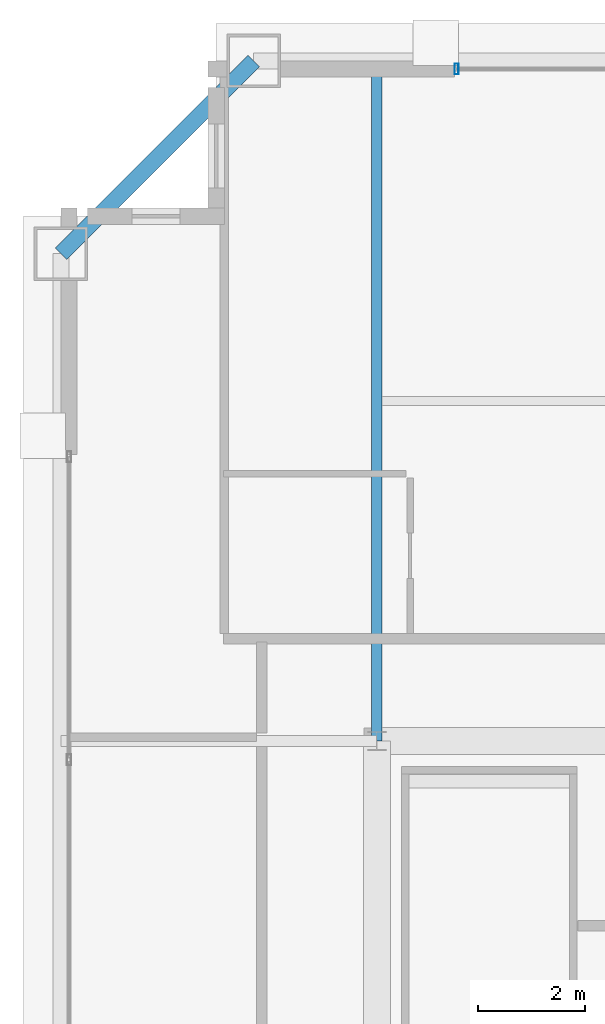
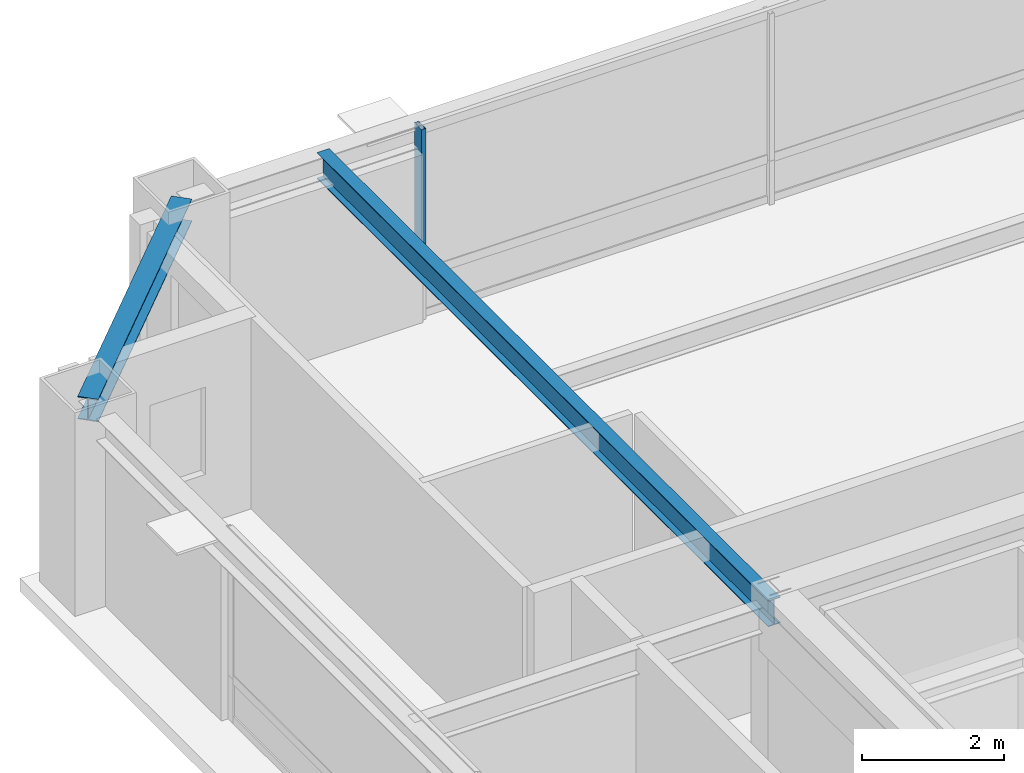
# One storey, part 16 of 34: 2 beams, 1 member, 1 element without a shape of its own.
"""IFC4 building model written with IfcOpenShell, lengths in metres."""

import ifcopenshell
import ifcopenshell.guid

model = None  # the IFC model being written
_history = None  # IfcOwnerHistory: only IFC2X3 demands one
_inside = {}  # id of a spatial element -> (the spatial element, [elements in it])
_under = {}  # id of a project, library or spatial element -> (it, [spatial elements below it])
_declared = {}  # id of a project -> (the project, [libraries it declares])
_typed = {}  # id of a type object -> (the type object, [elements of that type])
_made_of = {}  # id of a material, layer set ... -> (it, [elements and type objects made of it])


def new_model(schema):
    """Start an empty IFC model of exactly this schema.

    Asked for "IFC4X3", IfcOpenShell would pick the latest addendum, in which some entities
    have other attributes; the version numbers below select the first issue.
    IFC2X3 requires an IfcOwnerHistory on every rooted entity: one is made here for all.
    """
    global model, _history
    if schema == "IFC4X3":
        model = ifcopenshell.file(schema_version=(4, 3, 0, 0))
    else:
        model = ifcopenshell.file(schema=schema)
    _inside.clear()
    _under.clear()
    _declared.clear()
    _typed.clear()
    _made_of.clear()
    _history = None
    if model.schema == "IFC2X3":
        org = make("IfcOrganization", Name="unknown")
        user = make(
            "IfcPersonAndOrganization",
            ThePerson=make("IfcPerson", FamilyName="unknown"),
            TheOrganization=org,
        )
        app = make(
            "IfcApplication",
            ApplicationDeveloper=org,
            Version="unknown",
            ApplicationFullName="unknown",
            ApplicationIdentifier="unknown",
        )
        _history = make(
            "IfcOwnerHistory",
            OwningUser=user,
            OwningApplication=app,
            ChangeAction="ADDED",
            CreationDate=0,
        )
    return model


def make(cls, **values):
    """One entity of the class cls with the attributes given. An attribute that is None is left unset."""
    return model.create_entity(
        cls, **{name: value for name, value in values.items() if value is not None}
    )


def rooted(cls, **values):
    """An entity with a GlobalId (a new one), such as an element, a storey or a relation."""
    return make(cls, GlobalId=ifcopenshell.guid.new(), OwnerHistory=_history, **values)


def si_unit(unit_type, name, prefix=None):
    """IfcSIUnit, for example si_unit("LENGTHUNIT", "METRE", prefix="MILLI")."""
    return make("IfcSIUnit", UnitType=unit_type, Prefix=prefix, Name=name)


def assignment(units):
    """IfcUnitAssignment: the units of a project."""
    return None if units is None else make("IfcUnitAssignment", Units=units)


def point(xyz):
    """IfcCartesianPoint."""
    return None if xyz is None else make("IfcCartesianPoint", Coordinates=xyz)


def direction(xyz):
    """IfcDirection."""
    return None if xyz is None else make("IfcDirection", DirectionRatios=xyz)


def frame(location, z_axis=None, x_axis=None):
    """IfcAxis2Placement3D, a coordinate frame: its origin and axes. An axis left out is left unset."""
    return make(
        "IfcAxis2Placement3D",
        Location=point(location),
        Axis=direction(z_axis),
        RefDirection=direction(x_axis),
    )


def frame_2d(location, x_axis=None):
    """IfcAxis2Placement2D, a coordinate frame in the plane: its origin and x axis."""
    return make(
        "IfcAxis2Placement2D", Location=point(location), RefDirection=direction(x_axis)
    )


def origin():
    """The frame at (0, 0, 0) with its axes left unset."""
    return frame((0.0, 0.0, 0.0))


def origin_2d():
    """The frame at (0, 0) in the plane with its x axis left unset."""
    return frame_2d((0.0, 0.0))


def place(relative_to, where):
    """IfcLocalPlacement: puts the frame where relative to a parent placement (None: the world)."""
    return make(
        "IfcLocalPlacement", PlacementRelTo=relative_to, RelativePlacement=where
    )


def context(
    kind, dimensions, precision=None, world=None, true_north=None, identifier=None
):
    """IfcGeometricRepresentationContext, for example the 3D "Model" context."""
    return make(
        "IfcGeometricRepresentationContext",
        ContextIdentifier=identifier,
        ContextType=kind,
        CoordinateSpaceDimension=dimensions,
        Precision=precision,
        WorldCoordinateSystem=world,
        TrueNorth=true_north,
    )


def subcontext(parent, identifier, kind, view, scale=None):
    """IfcGeometricRepresentationSubContext, for example "Body" below "Model"."""
    return make(
        "IfcGeometricRepresentationSubContext",
        ContextIdentifier=identifier,
        ContextType=kind,
        ParentContext=parent,
        TargetScale=scale,
        TargetView=view,
    )


def project(units=None, contexts=None):
    """IfcProject with its units and contexts."""
    return rooted(
        "IfcProject",
        Name="project",
        RepresentationContexts=contexts,
        UnitsInContext=assignment(units),
    )


def spatial(cls, under=None, at=None, **own):
    """A site, building, storey or space (cls), placed at a placement, below another one or the project."""
    s = rooted(cls, ObjectPlacement=at, **own)
    if under is not None:
        _under.setdefault(under.id(), (under, []))[1].append(s)
    return s


def profile(cls, at=None, kind="AREA", **sizes):
    """A parametric profile (cls). Its sizes go by their IFC names, for example OverallWidth=200.0."""
    return make(cls, ProfileType=kind, Position=at, **sizes)


def hollow_rectangle(**sizes):
    """IfcRectangleHollowProfileDef."""
    return profile("IfcRectangleHollowProfileDef", **sizes)


def i_section(**sizes):
    """IfcIShapeProfileDef."""
    return profile("IfcIShapeProfileDef", **sizes)


def extrude(swept, where, along, depth):
    """IfcExtrudedAreaSolid: the profile swept, set in the frame where, extruded along a direction by depth."""
    return make(
        "IfcExtrudedAreaSolid",
        SweptArea=swept,
        Position=where,
        ExtrudedDirection=direction(along),
        Depth=depth,
    )


def shape(context_of_items, identifier, shape_type, items):
    """IfcShapeRepresentation: the items that make up one representation, for example the "Body"."""
    return make(
        "IfcShapeRepresentation",
        ContextOfItems=context_of_items,
        RepresentationIdentifier=identifier,
        RepresentationType=shape_type,
        Items=items,
    )


def source(mapping_origin, context_of_items, identifier, shape_type, items):
    """IfcRepresentationMap: a shape defined once, which mapped items show again and again."""
    return make(
        "IfcRepresentationMap",
        MappingOrigin=mapping_origin,
        MappedRepresentation=shape(context_of_items, identifier, shape_type, items),
    )


def transform(
    local_origin,
    x_axis=None,
    y_axis=None,
    z_axis=None,
    scale=None,
    scale2=None,
    scale3=None,
    uniform=True,
):
    """IfcCartesianTransformationOperator3D, or its non-uniform kind. x_axis, y_axis, z_axis: its Axis1, 2, 3."""
    if uniform:
        return make(
            "IfcCartesianTransformationOperator3D",
            Axis1=direction(x_axis),
            Axis2=direction(y_axis),
            LocalOrigin=point(local_origin),
            Scale=scale,
            Axis3=direction(z_axis),
        )
    return make(
        "IfcCartesianTransformationOperator3DnonUniform",
        Axis1=direction(x_axis),
        Axis2=direction(y_axis),
        LocalOrigin=point(local_origin),
        Scale=scale,
        Axis3=direction(z_axis),
        Scale2=scale2,
        Scale3=scale3,
    )


def mapped(mapping_source, mapping_target):
    """IfcMappedItem: shows the shape of a source again, moved by a transform."""
    return make(
        "IfcMappedItem", MappingSource=mapping_source, MappingTarget=mapping_target
    )


def material(Name=None, Category=None):
    """IfcMaterial."""
    return make("IfcMaterial", Name=Name, Category=Category)


def layer(
    of_material, thickness, ventilated=None, Name=None, Category=None, Priority=None
):
    """IfcMaterialLayer: one layer of a wall or slab, of a material (None: an air gap)."""
    return make(
        "IfcMaterialLayer",
        Material=of_material,
        LayerThickness=thickness,
        IsVentilated=ventilated,
        Name=Name,
        Category=Category,
        Priority=Priority,
    )


def layer_set(layers, Name=None):
    """IfcMaterialLayerSet."""
    return make("IfcMaterialLayerSet", MaterialLayers=layers, LayerSetName=Name)


def material_profile(
    of_material, cross_section, Name=None, Category=None, Priority=None
):
    """IfcMaterialProfile: a cross section and its material."""
    return make(
        "IfcMaterialProfile",
        Name=Name,
        Material=of_material,
        Profile=cross_section,
        Priority=Priority,
        Category=Category,
    )


def profile_set(profiles, Name=None, composite=None):
    """IfcMaterialProfileSet."""
    return make(
        "IfcMaterialProfileSet",
        Name=Name,
        MaterialProfiles=profiles,
        CompositeProfile=composite,
    )


def made_of(thing, what):
    """Note that an element or type object is made of a material, layer set ...; save() writes the relation."""
    if what is not None:
        _made_of.setdefault(what.id(), (what, []))[1].append(thing)
    return thing


def type_object(cls, material=None, **own):
    """A type object (cls), such as IfcWallType, which elements share."""
    return made_of(rooted(cls, **own), material)


def element(
    cls,
    number,
    at=None,
    inside=None,
    cuts=None,
    type_object=None,
    material=None,
    context=None,
    identifier="Body",
    shape_type=None,
    held_by="IfcProductDefinitionShape",
    body=None,
    shapes=None,
    **own,
):
    """One element of the class cls, such as IfcWall. Its Tag is "e" and its number.

    at: its placement. inside: the storey or other place that contains it. cuts: it is an
    opening in that element (IfcRelVoidsElement). A single representation is given by context,
    identifier, shape_type and body (its items); several are given by shapes. held_by: the class
    of the entity that holds the representations. save() writes the other relations.
    """
    e = rooted(cls, Tag="e%d" % number, ObjectPlacement=at, **own)
    if body is not None:
        shapes = [shape(context, identifier, shape_type, body)]
    if shapes is not None:
        e.Representation = make(held_by, Representations=shapes)
    if inside is not None:
        _inside.setdefault(inside.id(), (inside, []))[1].append(e)
    if cuts is not None:
        rooted(
            "IfcRelVoidsElement", RelatingBuildingElement=cuts, RelatedOpeningElement=e
        )
    if type_object is not None:
        _typed.setdefault(type_object.id(), (type_object, []))[1].append(e)
    return made_of(e, material)


def aggregate(whole, parts):
    """IfcRelAggregates: a whole, such as a stair, and the parts it consists of."""
    return rooted("IfcRelAggregates", RelatingObject=whole, RelatedObjects=parts)


def save(model, path):
    """Write the relations noted so far, then the file.

    IfcRelAggregates (storeys below a building ...), IfcRelContainedInSpatialStructure (elements
    in a storey), IfcRelDefinesByType, IfcRelAssociatesMaterial and IfcRelDeclares: one each for
    every whole, place, type object, material and project.
    """
    for whole, parts in _under.values():
        aggregate(whole, parts)
    for where, things in _inside.values():
        rooted(
            "IfcRelContainedInSpatialStructure",
            RelatedElements=things,
            RelatingStructure=where,
        )
    for kind, things in _typed.values():
        rooted("IfcRelDefinesByType", RelatedObjects=things, RelatingType=kind)
    for what, things in _made_of.values():
        rooted("IfcRelAssociatesMaterial", RelatedObjects=things, RelatingMaterial=what)
    for by, libraries in _declared.values():
        rooted("IfcRelDeclares", RelatingContext=by, RelatedDefinitions=libraries)
    model.write(path)


model = new_model("IFC4")

# Units and contexts
model_context = context("Model", 3, precision=1e-05, world=origin(), true_north=direction((0.0, 1.0)))
body_context = subcontext(model_context, "Body", "Model", "MODEL_VIEW")
ifc_project = project(units=[si_unit("LENGTHUNIT", "METRE"), si_unit("AREAUNIT", "SQUARE_METRE"), si_unit("VOLUMEUNIT", "CUBIC_METRE"), si_unit("PLANEANGLEUNIT", "RADIAN"), si_unit("MASSUNIT", "GRAM", prefix="KILO"), si_unit("THERMODYNAMICTEMPERATUREUNIT", "KELVIN"), si_unit("POWERUNIT", "WATT")], contexts=[model_context])

# Site, building, storey
site_placement = place(None, origin())
site = spatial("IfcSite", under=ifc_project, at=site_placement, CompositionType="ELEMENT")
building_placement = place(site_placement, origin())
building = spatial("IfcBuilding", under=site, at=building_placement, Name="Yuzanri Waterfront Tower", CompositionType="ELEMENT")
storey_placement = place(building_placement, frame((0.0, 0.0, 325.199951171875)))
storey = spatial("IfcBuildingStorey", under=building, at=storey_placement, Name="L87", CompositionType="ELEMENT", Elevation=325.199951171875)

# Beams
ifc_material_1 = material(Name="Steel Q355B", Category="steel")
ifc_material_profile_1 = material_profile(ifc_material_1, i_section(OverallWidth=0.300048828125, OverallDepth=0.389892578125, WebThickness=0.010009765625, FlangeThickness=0.01611328125, at=origin_2d()), Name="HM 390x300x10x16")
ifc_profile_set_1 = profile_set([ifc_material_profile_1], Name="Steel Q355B")
beam_type_1 = type_object("IfcBeamType", Name="Perimeter Spandrel Q355B HM 390x300", PredefinedType="SPANDREL", material=ifc_profile_set_1)
shared_shape_1 = source(origin(), body_context, "Body", "SweptSolid", [
    extrude(i_section(OverallWidth=0.300048828125, OverallDepth=0.389892578125, WebThickness=0.010009765625, FlangeThickness=0.01611328125, at=origin_2d()), origin(), (0.0, 0.0, 1.0), 5.091064453125),
])
beam_1_placement = place(storey_placement, frame((21.5, 44.89990234375, 3.0849609375), z_axis=(-0.707130757816, -0.707082803744, 0.0), x_axis=(0.707082803744, -0.707130757816, 0.0)))
element("IfcBeam", 1, at=beam_1_placement, inside=storey, type_object=beam_type_1, Name="L87 Perimeter Spandrel N1-W3", PredefinedType="SPANDREL", context=body_context, shape_type="MappedRepresentation", body=[
    mapped(shared_shape_1, transform((0.0, 0.0, 0.0), scale=1.0)),
])
ifc_material_2 = material(Name="Steel Q355B", Category="steel")
ifc_material_profile_2 = material_profile(ifc_material_2, i_section(OverallWidth=0.199951171875, OverallDepth=0.449951171875, WebThickness=0.009033203125, FlangeThickness=0.013916015625, at=origin_2d()), Name="HN 450x200x9x14")
ifc_profile_set_2 = profile_set([ifc_material_profile_2], Name="Steel Q355B")
beam_type_2 = type_object("IfcBeamType", Name="Secondary Floor Beam Q355B HN 450x200", PredefinedType="BEAM", material=ifc_profile_set_2)
shared_shape_2 = source(origin(), body_context, "Body", "SweptSolid", [
    extrude(i_section(OverallWidth=0.199951171875, OverallDepth=0.449951171875, WebThickness=0.009033203125, FlangeThickness=0.013916015625, at=origin_2d()), origin(), (0.0, 0.0, 1.0), 12.699951171875),
])
beam_2_placement = place(storey_placement, frame((23.800048828125, 32.199951171875, 3.054931640625), z_axis=(0.0, 1.0, 0.0), x_axis=(-1.0, 0.0, 0.0)))
element("IfcBeam", 2, at=beam_2_placement, inside=storey, type_object=beam_type_2, Name="L87 North-West Core Line Beam", PredefinedType="BEAM", context=body_context, shape_type="MappedRepresentation", body=[
    mapped(shared_shape_2, transform((0.0, 0.0, 0.0), scale=1.0)),
])

# Curtain wall, member
ifc_material_3 = material(Name="Anodized Architectural Bronze", Category="metal")
ifc_layer = layer(ifc_material_3, 0.159912109375)
ifc_layer_set = layer_set([ifc_layer], Name="Anodized Architectural Bronze")
curtain_wall_type = type_object("IfcCurtainWallType", Name="Anodized Bronze High-Rise Penthouse High-Wind Unitized Curtain Wall 6900", PredefinedType="NOTDEFINED", material=ifc_layer_set)
curtain_wall_placement = place(storey_placement, origin())
curtain_wall = element("IfcCurtainWall", 3, at=curtain_wall_placement, inside=storey, type_object=curtain_wall_type, Name="L87 Curtain Wall CW-L87-NL", PredefinedType="NOTDEFINED")
ifc_material_4 = material(Name="Anodized Architectural Bronze", Category="metal")
ifc_material_profile_3 = material_profile(ifc_material_4, hollow_rectangle(XDim=0.074951171875, YDim=0.199951171875, WallThickness=0.00390625, at=origin_2d()), Name="CWM 75x200")
ifc_profile_set_3 = profile_set([ifc_material_profile_3], Name="Anodized Architectural Bronze")
member_type = type_object("IfcMemberType", Name="Anodized Bronze Primary Curtain-Wall Mullion 75x200", PredefinedType="MULLION", material=ifc_profile_set_3)
shared_shape_3 = source(origin(), body_context, "Body", "SweptSolid", [
    extrude(hollow_rectangle(XDim=0.074951171875, YDim=0.199951171875, WallThickness=0.00390625, at=origin_2d()), origin(), (0.0, 0.0, 1.0), 2.52392578125),
])
member_placement = place(storey_placement, frame((25.2900390625, 44.75, 0.756103515625), z_axis=(0.0, 0.0, 1.0), x_axis=(1.0, 0.0, 0.0)))
member = element("IfcMember", 4, at=member_placement, type_object=member_type, Name="CW-L87-NL Upper Mullion 00", PredefinedType="MULLION", context=body_context, shape_type="MappedRepresentation", body=[
    mapped(shared_shape_3, transform((0.0, 0.0, 0.0), scale=1.0)),
])
aggregate(curtain_wall, [member])

save(model, "model.ifc")
